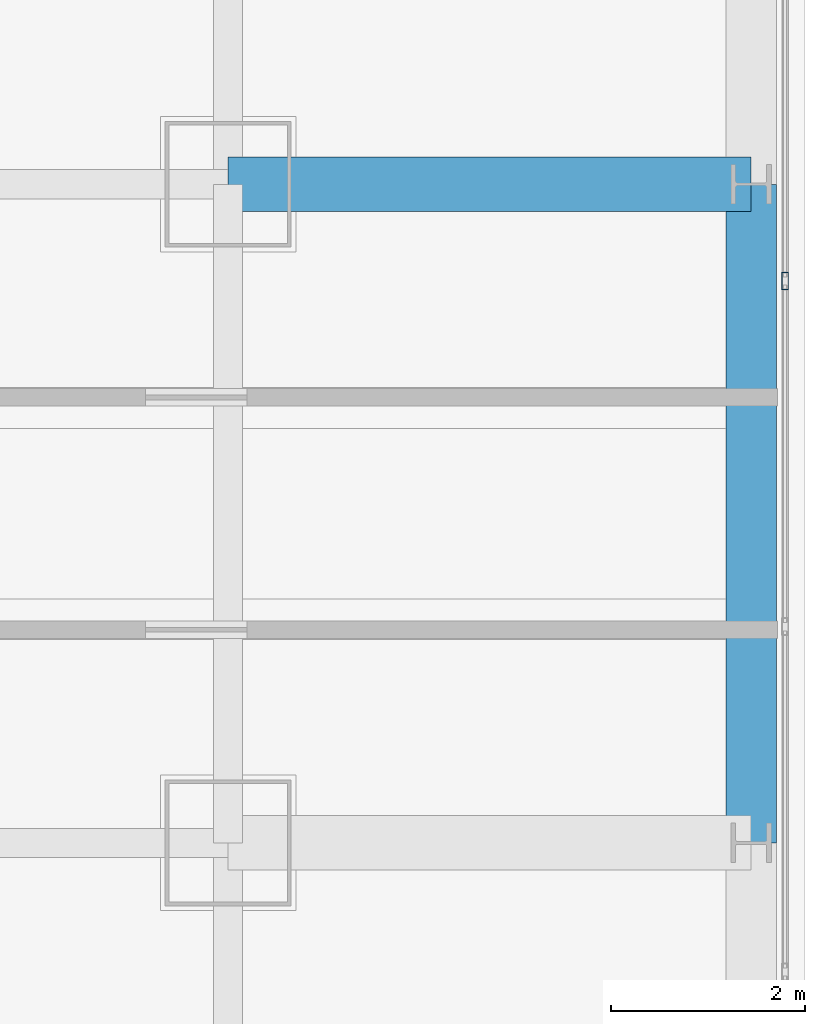
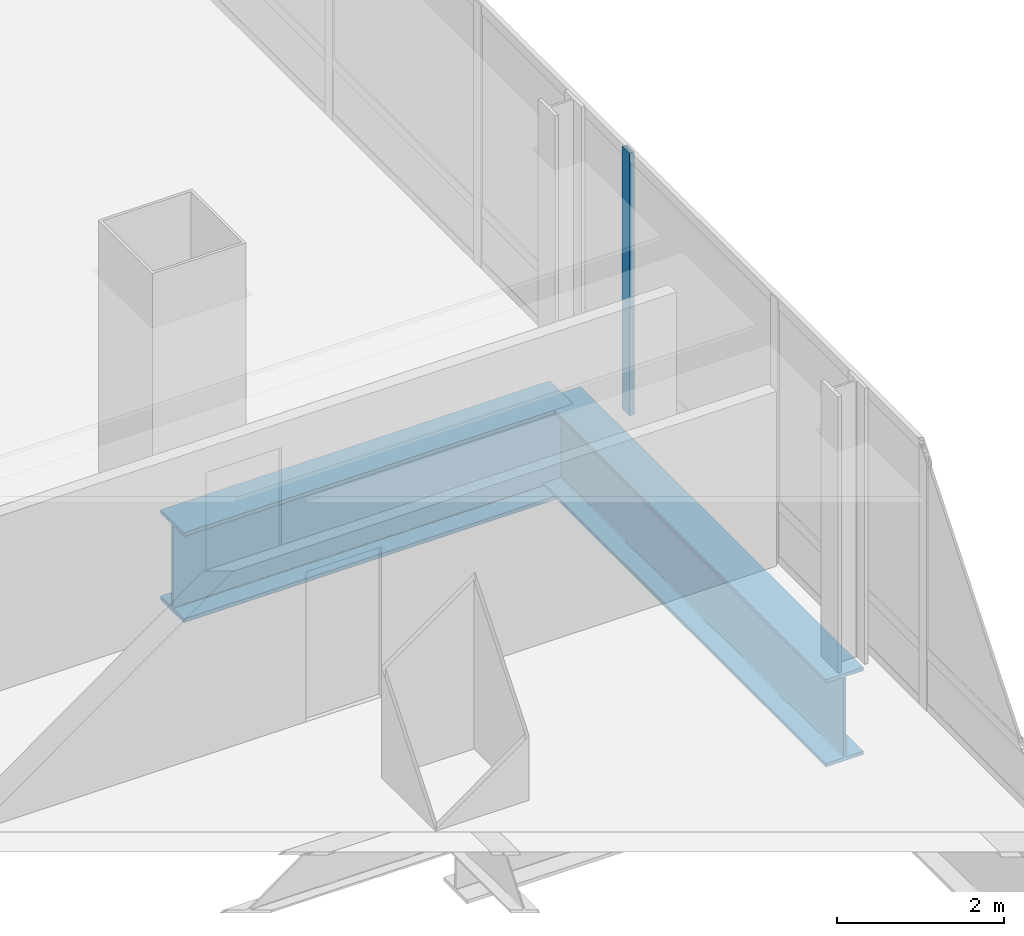
# One storey, part 17 of 44: 2 beams, 1 member, 1 element without a shape of its own.
"""IFC4 building model written with IfcOpenShell, lengths in metres."""

from ifc_helpers import new_model, si_unit, direction, frame, origin, origin_2d, place, context, subcontext, project, spatial, hollow_rectangle, i_section, extrude, material, material_profile, profile_set, type_object, element, aggregate, save


model = new_model("IFC4")

# Units and contexts
model_context = context("Model", 3, precision=1e-05, world=origin(), true_north=direction((0.0, 1.0)))
body_context = subcontext(model_context, "Body", "Model", "MODEL_VIEW")
ifc_project = project(units=[si_unit("LENGTHUNIT", "METRE"), si_unit("AREAUNIT", "SQUARE_METRE"), si_unit("VOLUMEUNIT", "CUBIC_METRE"), si_unit("PLANEANGLEUNIT", "RADIAN"), si_unit("MASSUNIT", "GRAM", prefix="KILO")], contexts=[model_context])

# Site, building, storey
site_placement = place(None, origin())
site = spatial("IfcSite", under=ifc_project, at=site_placement, CompositionType="ELEMENT")
building_placement = place(site_placement, origin())
building = spatial("IfcBuilding", under=site, at=building_placement, Name="Punatoya Terracotta Tower", CompositionType="ELEMENT")
storey_placement = place(building_placement, frame((0.0, 0.0, 267.60009765625)))
storey = spatial("IfcBuildingStorey", under=building, at=storey_placement, Name="L63", CompositionType="ELEMENT", Elevation=267.60009765625)

# Beams
ifc_material_1 = material(Name="Steel S460", Category="steel")
ifc_material_profile_1 = material_profile(ifc_material_1, i_section(OverallWidth=0.56005859375, OverallDepth=1.320068359375, WebThickness=0.035888671875, FlangeThickness=0.054931640625, FilletRadius=0.01806640625, at=origin_2d()))
ifc_profile_set_1 = profile_set([ifc_material_profile_1], Name="Steel S460")
beam_type_1 = type_object("IfcBeamType", Name="BM-TG-BLK", PredefinedType="BEAM", material=ifc_profile_set_1)
beam_1_placement = place(storey_placement, frame((19.10009765625, 3.39990234375, -0.860107421875), z_axis=(1.0, 0.0, 0.0), x_axis=(0.0, 1.0, 0.0)))
element("IfcBeam", 1, at=beam_1_placement, inside=storey, type_object=beam_type_1, Name="BM-L63-CANT-E3", PredefinedType="BEAM", context=body_context, shape_type="SweptSolid", body=[
    extrude(i_section(OverallWidth=0.56005859375, OverallDepth=1.320068359375, WebThickness=0.035888671875, FlangeThickness=0.054931640625, FilletRadius=0.01806640625, at=origin_2d()), origin(), (0.0, 0.0, 1.0), 5.39990234375),
])
ifc_material_profile_2 = material_profile(ifc_material_1, i_section(OverallWidth=0.52001953125, OverallDepth=1.280029296875, WebThickness=0.031982421875, FlangeThickness=0.050048828125, FilletRadius=0.01806640625, at=origin_2d()))
ifc_profile_set_2 = profile_set([ifc_material_profile_2], Name="Steel S460")
beam_type_2 = type_object("IfcBeamType", Name="BM-TG-NCK", PredefinedType="BEAM", material=ifc_profile_set_2)
beam_2_placement = place(storey_placement, frame((24.5, -3.39990234375, -0.840087890625), z_axis=(0.0, 1.0, 0.0), x_axis=(-1.0, 0.0, 0.0)))
element("IfcBeam", 2, at=beam_2_placement, inside=storey, type_object=beam_type_2, Name="BM-L63-PER-E2", PredefinedType="BEAM", context=body_context, shape_type="SweptSolid", body=[
    extrude(i_section(OverallWidth=0.52001953125, OverallDepth=1.280029296875, WebThickness=0.031982421875, FlangeThickness=0.050048828125, FilletRadius=0.01806640625, at=origin_2d()), origin(), (0.0, 0.0, 1.0), 6.7998046875),
])

# Curtain wall, member
ifc_material_2 = material(Name="Aluminium 6063-T6 + Double Low-E Glass", Category="aluminium")
curtain_wall_type = type_object("IfcCurtainWallType", Name="CW-M3", PredefinedType="NOTDEFINED", material=ifc_material_2)
curtain_wall_placement = place(storey_placement, origin())
curtain_wall = element("IfcCurtainWall", 3, at=curtain_wall_placement, inside=storey, type_object=curtain_wall_type, Name="L63 Curtain Wall CW-L63-E05-1", PredefinedType="NOTDEFINED")
ifc_material_3 = material(Name="Aluminium 6063-T6", Category="aluminium")
ifc_material_profile_3 = material_profile(ifc_material_3, hollow_rectangle(XDim=0.070068359375, YDim=0.179931640625, WallThickness=0.00390625, at=origin_2d()))
ifc_profile_set_3 = profile_set([ifc_material_profile_3], Name="Aluminium 6063-T6")
member_type = type_object("IfcMemberType", Name="CW-MUL-M3", PredefinedType="MULLION", material=ifc_profile_set_3)
member_placement = place(storey_placement, frame((24.85009765625, 2.39990234375, 0.0), z_axis=(0.0, 0.0, 1.0), x_axis=(1.0, 0.0, 0.0)))
member = element("IfcMember", 4, at=member_placement, type_object=member_type, Name="CW-L63-E05-1 Mullion 05", PredefinedType="MULLION", context=body_context, shape_type="SweptSolid", body=[
    extrude(hollow_rectangle(XDim=0.070068359375, YDim=0.179931640625, WallThickness=0.00390625, at=origin_2d()), origin(), (0.0, 0.0, 1.0), 3.849853515625),
])
aggregate(curtain_wall, [member])

save(model, "model.ifc")
